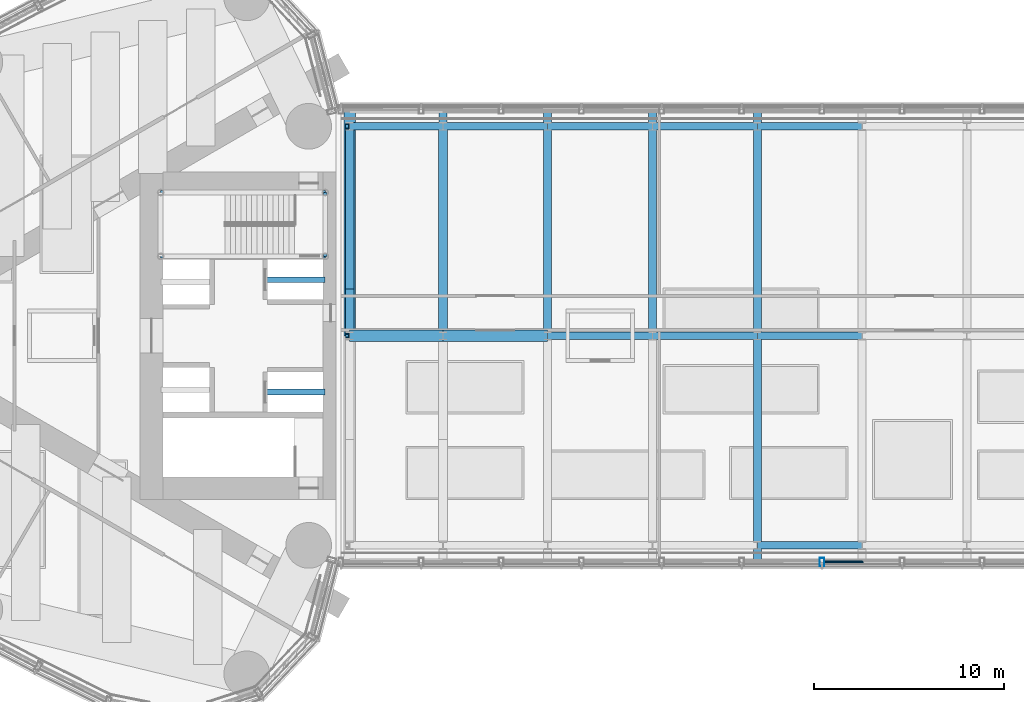
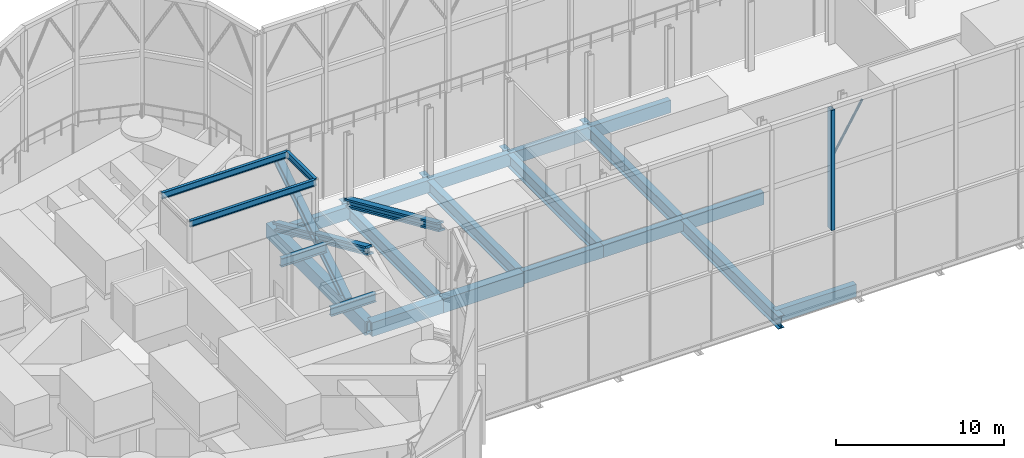
# One storey, part 11 of 33: 22 beams, 5 members, 1 element without a shape of its own.
"""IFC4 building model written with IfcOpenShell, lengths in metres."""

from ifc_helpers import new_model, si_unit, direction, frame, origin, origin_2d, place, context, subcontext, project, spatial, hollow_rectangle, hollow_circle, i_section, extrude, material, material_profile, profile_set, type_object, element, aggregate, save


model = new_model("IFC4")

# Units and contexts
model_context = context("Model", 3, precision=1e-05, world=origin(), true_north=direction((0.0, 1.0)))
body_context = subcontext(model_context, "Body", "Model", "MODEL_VIEW")
ifc_project = project(units=[si_unit("LENGTHUNIT", "METRE"), si_unit("AREAUNIT", "SQUARE_METRE"), si_unit("VOLUMEUNIT", "CUBIC_METRE"), si_unit("PLANEANGLEUNIT", "RADIAN"), si_unit("MASSUNIT", "GRAM", prefix="KILO")], contexts=[model_context])

# Site, building, storey
site_placement = place(None, origin())
site = spatial("IfcSite", under=ifc_project, at=site_placement, CompositionType="ELEMENT")
building_placement = place(site_placement, origin())
building = spatial("IfcBuilding", under=site, at=building_placement, Name="Lancet Gate Hotel", CompositionType="ELEMENT")
storey_placement = place(building_placement, frame((0.0, 0.0, 268.300048828125)))
storey = spatial("IfcBuildingStorey", under=building, at=storey_placement, Name="L70", CompositionType="ELEMENT", Elevation=268.300048828125)

# Members
ifc_material_1 = material(Name="Steel S460", Category="steel")
ifc_material_profile_1 = material_profile(ifc_material_1, i_section(OverallWidth=0.4541015625, OverallDepth=0.569091796875, WebThickness=0.077880859375, FlangeThickness=0.125, FilletRadius=0.02001953125, at=origin_2d()), Name="HD 400x1086")
ifc_profile_set_1 = profile_set([ifc_material_profile_1], Name="Steel S460")
member_type_1 = type_object("IfcMemberType", Name="Block brace HD 400x1086", PredefinedType="BRACE", material=ifc_profile_set_1)
for number, where, z_axis, x_axis, name in (
    (1, (-26.89990234375, 11.0, 0.0), (0.0, -0.913471794333, 0.406902053273), (1.0, 0.0, 0.0), "Block brace WY22 L70"),
    (2, (-22.0, 11.0, 0.0), (0.0, -0.913471794333, 0.406902053273), (1.0, 0.0, 0.0), "Block brace WI22 L70"),
):
    element("IfcMember", number, at=place(storey_placement, frame(where, z_axis=z_axis, x_axis=x_axis)), inside=storey, type_object=member_type_1, Name=name, PredefinedType="BRACE", context=body_context, shape_type="SweptSolid", body=[
        extrude(i_section(OverallWidth=0.4541015625, OverallDepth=0.569091796875, WebThickness=0.077880859375, FlangeThickness=0.125, FilletRadius=0.02001953125, at=origin_2d()), origin(), (0.0, 0.0, 1.0), 12.0419921875),
    ])
member_1_placement = place(storey_placement, frame((-26.89990234375, 2.60009765625, -0.300048828125), z_axis=(0.0, 0.845723043987, 0.533622088064), x_axis=(-1.0, 0.0, 0.0)))
element("IfcMember", 3, at=member_1_placement, inside=storey, type_object=member_type_1, Name="Block brace WY23 L70", PredefinedType="BRACE", context=body_context, shape_type="SweptSolid", body=[
    extrude(i_section(OverallWidth=0.4541015625, OverallDepth=0.569091796875, WebThickness=0.077880859375, FlangeThickness=0.125, FilletRadius=0.02001953125, at=origin_2d()), origin(), (0.0, 0.0, 1.0), 9.93212890625),
])

# Beams
ifc_material_2 = material(Name="Steel S460QL", Category="steel")
ifc_material_profile_2 = material_profile(ifc_material_2, hollow_rectangle(XDim=0.60009765625, YDim=1.0, WallThickness=0.10009765625, at=origin_2d()), Name="BOX 1000x600x100")
ifc_profile_set_2 = profile_set([ifc_material_profile_2], Name="Steel S460QL")
beam_type_1 = type_object("IfcBeamType", Name="Block end beam BOX 1000x600x100", PredefinedType="BEAM", material=ifc_profile_set_2)
beam_1_placement = place(storey_placement, frame((-26.89990234375, 0.0, -0.699951171875), z_axis=(0.0, 1.0, 0.0), x_axis=(-1.0, 0.0, 0.0)))
element("IfcBeam", 4, at=beam_1_placement, inside=storey, type_object=beam_type_1, Name="Block beam x0 N L70", PredefinedType="BEAM", context=body_context, shape_type="SweptSolid", body=[
    extrude(hollow_rectangle(XDim=0.60009765625, YDim=1.0, WallThickness=0.10009765625, at=origin_2d()), origin(), (0.0, 0.0, 1.0), 11.800048828125),
])
ifc_material_3 = material(Name="Steel S355", Category="steel")
ifc_material_profile_3 = material_profile(ifc_material_3, i_section(OverallWidth=0.42041015625, OverallDepth=0.9208984375, WebThickness=0.021484375, FlangeThickness=0.03662109375, FilletRadius=0.024169921875, at=origin_2d()), Name="UKB 914x419x388")
ifc_profile_set_3 = profile_set([ifc_material_profile_3], Name="Steel S355")
beam_type_2 = type_object("IfcBeamType", Name="Block plant floor beam UKB 914x419x388", PredefinedType="JOIST", material=ifc_profile_set_3)
for number, where, z_axis, x_axis, name in (
    (5, (-22.0, 0.0, -0.66064453125), (0.0, 1.0, 0.0), (-1.0, 0.0, 0.0), "Block beam x1 N L70"),
    (6, (-16.5, 0.0, -0.66064453125), (0.0, 1.0, 0.0), (-1.0, 0.0, 0.0), "Block beam x2 N L70"),
    (7, (-11.0, 0.0, -0.66064453125), (0.0, 1.0, 0.0), (-1.0, 0.0, 0.0), "Block beam x3 N L70"),
    (8, (-5.5, -11.800048828125, -0.66064453125), (0.0, 1.0, 0.0), (-1.0, 0.0, 0.0), "Block beam x4 S L70"),
    (9, (-5.5, 0.0, -0.66064453125), (0.0, 1.0, 0.0), (-1.0, 0.0, 0.0), "Block beam x4 N L70"),
):
    element("IfcBeam", number, at=place(storey_placement, frame(where, z_axis=z_axis, x_axis=x_axis)), inside=storey, type_object=beam_type_2, Name=name, PredefinedType="JOIST", context=body_context, shape_type="SweptSolid", body=[
        extrude(i_section(OverallWidth=0.42041015625, OverallDepth=0.9208984375, WebThickness=0.021484375, FlangeThickness=0.03662109375, FilletRadius=0.024169921875, at=origin_2d()), origin(), (0.0, 0.0, 1.0), 11.800048828125),
    ])
ifc_material_4 = material(Name="Steel S460QL", Category="steel")
ifc_material_profile_4 = material_profile(ifc_material_4, hollow_rectangle(XDim=0.60009765625, YDim=1.0, WallThickness=0.080078125, at=origin_2d()), Name="BOX 1000x600x80")
ifc_profile_set_4 = profile_set([ifc_material_profile_4], Name="Steel S460QL")
beam_type_3 = type_object("IfcBeamType", Name="Block primary beam BOX 1000x600x80", PredefinedType="BEAM", material=ifc_profile_set_4)
beam_2_placement = place(storey_placement, frame((-26.89990234375, 0.0, -0.699951171875), z_axis=(1.0, 0.0, 0.0), x_axis=(0.0, 1.0, 0.0)))
element("IfcBeam", 10, at=beam_2_placement, inside=storey, type_object=beam_type_3, Name="Block primary beam M 1 L70", PredefinedType="BEAM", context=body_context, shape_type="SweptSolid", body=[
    extrude(hollow_rectangle(XDim=0.60009765625, YDim=1.0, WallThickness=0.080078125, at=origin_2d()), origin(), (0.0, 0.0, 1.0), 4.89990234375),
])
beam_3_placement = place(storey_placement, frame((-22.0, 0.0, -0.699951171875), z_axis=(1.0, 0.0, 0.0), x_axis=(0.0, 1.0, 0.0)))
element("IfcBeam", 11, at=beam_3_placement, inside=storey, type_object=beam_type_3, Name="Block primary beam M 2 L70", PredefinedType="BEAM", context=body_context, shape_type="SweptSolid", body=[
    extrude(hollow_rectangle(XDim=0.60009765625, YDim=1.0, WallThickness=0.080078125, at=origin_2d()), origin(), (0.0, 0.0, 1.0), 5.5),
])
ifc_material_5 = material(Name="Steel S355", Category="steel")
ifc_material_profile_5 = material_profile(ifc_material_5, hollow_rectangle(XDim=0.39990234375, YDim=0.89990234375, WallThickness=0.0400390625, at=origin_2d()), Name="BOX 900x400x40")
ifc_profile_set_5 = profile_set([ifc_material_profile_5], Name="Steel S355")
beam_type_4 = type_object("IfcBeamType", Name="Block primary beam BOX 900x400x40", PredefinedType="BEAM", material=ifc_profile_set_5)
for number, where, z_axis, x_axis, name in (
    (12, (-5.5, -11.0, -0.650146484375), (1.0, 0.0, 0.0), (0.0, 1.0, 0.0), "Block primary beam S 5 L70"),
    (13, (-16.5, 0.0, -0.650146484375), (1.0, 0.0, 0.0), (0.0, 1.0, 0.0), "Block primary beam M 3 L70"),
    (14, (-11.0, 0.0, -0.650146484375), (1.0, 0.0, 0.0), (0.0, 1.0, 0.0), "Block primary beam M 4 L70"),
    (15, (-5.5, 0.0, -0.650146484375), (1.0, 0.0, 0.0), (0.0, 1.0, 0.0), "Block primary beam M 5 L70"),
):
    element("IfcBeam", number, at=place(storey_placement, frame(where, z_axis=z_axis, x_axis=x_axis)), inside=storey, type_object=beam_type_4, Name=name, PredefinedType="BEAM", context=body_context, shape_type="SweptSolid", body=[
        extrude(hollow_rectangle(XDim=0.39990234375, YDim=0.89990234375, WallThickness=0.0400390625, at=origin_2d()), origin(), (0.0, 0.0, 1.0), 5.5),
    ])
beam_4_placement = place(storey_placement, frame((-26.89990234375, 11.0, -0.650146484375), z_axis=(1.0, 0.0, 0.0), x_axis=(0.0, 1.0, 0.0)))
element("IfcBeam", 16, at=beam_4_placement, inside=storey, type_object=beam_type_4, Name="Block primary beam N 1 L70", PredefinedType="BEAM", context=body_context, shape_type="SweptSolid", body=[
    extrude(hollow_rectangle(XDim=0.39990234375, YDim=0.89990234375, WallThickness=0.0400390625, at=origin_2d()), origin(), (0.0, 0.0, 1.0), 4.89990234375),
])
for number, where, z_axis, x_axis, name in (
    (17, (-22.0, 11.0, -0.650146484375), (1.0, 0.0, 0.0), (0.0, 1.0, 0.0), "Block primary beam N 2 L70"),
    (18, (-16.5, 11.0, -0.650146484375), (1.0, 0.0, 0.0), (0.0, 1.0, 0.0), "Block primary beam N 3 L70"),
    (19, (-11.0, 11.0, -0.650146484375), (1.0, 0.0, 0.0), (0.0, 1.0, 0.0), "Block primary beam N 4 L70"),
    (20, (-5.5, 11.0, -0.650146484375), (1.0, 0.0, 0.0), (0.0, 1.0, 0.0), "Block primary beam N 5 L70"),
):
    element("IfcBeam", number, at=place(storey_placement, frame(where, z_axis=z_axis, x_axis=x_axis)), inside=storey, type_object=beam_type_4, Name=name, PredefinedType="BEAM", context=body_context, shape_type="SweptSolid", body=[
        extrude(hollow_rectangle(XDim=0.39990234375, YDim=0.89990234375, WallThickness=0.0400390625, at=origin_2d()), origin(), (0.0, 0.0, 1.0), 5.5),
    ])
ifc_material_6 = material(Name="Steel S355", Category="steel")
ifc_material_profile_6 = material_profile(ifc_material_6, i_section(OverallWidth=0.19140625, OverallDepth=0.4599609375, WebThickness=0.010009765625, FlangeThickness=0.01611328125, FilletRadius=0.01025390625, at=origin_2d()), Name="UKB 457x191x82")
ifc_profile_set_6 = profile_set([ifc_material_profile_6], Name="Steel S355")
beam_type_5 = type_object("IfcBeamType", Name="Head-house beam UKB 457x191x82", PredefinedType="BEAM", material=ifc_profile_set_6)
beam_5_placement = place(storey_placement, frame((-28.175048828125, 7.52490234375, 7.77001953125), z_axis=(0.0, -1.0, 0.0), x_axis=(1.0, 0.0, 0.0)))
element("IfcBeam", 21, at=beam_5_placement, inside=storey, type_object=beam_type_5, Name="T1 head-house beam front", PredefinedType="BEAM", context=body_context, shape_type="SweptSolid", body=[
    extrude(i_section(OverallWidth=0.19140625, OverallDepth=0.4599609375, WebThickness=0.010009765625, FlangeThickness=0.01611328125, FilletRadius=0.01025390625, at=origin_2d()), origin(), (0.0, 0.0, 1.0), 3.349853515625),
])
for number, where, z_axis, x_axis, name in (
    (22, (-28.175048828125, 7.52490234375, 7.77001953125), (-1.0, 0.0, 0.0), (0.0, -1.0, 0.0), "T1 head-house beam outer"),
    (23, (-28.175048828125, 4.175048828125, 7.77001953125), (-1.0, 0.0, 0.0), (0.0, -1.0, 0.0), "T1 head-house beam inner"),
):
    element("IfcBeam", number, at=place(storey_placement, frame(where, z_axis=z_axis, x_axis=x_axis)), inside=storey, type_object=beam_type_5, Name=name, PredefinedType="BEAM", context=body_context, shape_type="SweptSolid", body=[
        extrude(i_section(OverallWidth=0.19140625, OverallDepth=0.4599609375, WebThickness=0.010009765625, FlangeThickness=0.01611328125, FilletRadius=0.01025390625, at=origin_2d()), origin(), (0.0, 0.0, 1.0), 8.64990234375),
    ])

# Curtain wall, members
ifc_material_7 = material(Name="Steel framed lantern screen", Category="steel")
curtain_wall_type = type_object("IfcCurtainWallType", Name="Lantern screen", PredefinedType="USERDEFINED", material=ifc_material_7)
curtain_wall_placement = place(storey_placement, origin())
curtain_wall = element("IfcCurtainWall", 24, at=curtain_wall_placement, inside=storey, type_object=curtain_wall_type, Name="Bridge block lantern screen S", ObjectType="LANTERN SCREEN", PredefinedType="USERDEFINED")
ifc_material_8 = material(Name="Steel S355", Category="steel")
ifc_material_profile_7 = material_profile(ifc_material_8, hollow_rectangle(XDim=0.25, YDim=0.449951171875, WallThickness=0.01611328125, at=origin_2d()), Name="RHS 450x250x16")
ifc_profile_set_7 = profile_set([ifc_material_profile_7], Name="Steel S355")
member_type_2 = type_object("IfcMemberType", Name="Lantern frame post RHS 450x250x16", PredefinedType="USERDEFINED", material=ifc_profile_set_7)
member_2_placement = place(storey_placement, frame((-2.103759765625, -11.8798828125, 5.0), z_axis=(0.0, 0.0, 1.0), x_axis=(1.0, 0.0, 0.0)))
member_2 = element("IfcMember", 25, at=member_2_placement, type_object=member_type_2, Name="Bridge block lantern screen S frame post 7", ObjectType="LANTERN FRAME", PredefinedType="USERDEFINED", context=body_context, shape_type="SweptSolid", body=[
    extrude(hollow_rectangle(XDim=0.25, YDim=0.449951171875, WallThickness=0.01611328125, at=origin_2d()), origin(), (0.0, 0.0, 1.0), 8.699951171875),
])
ifc_material_9 = material(Name="Steel S355", Category="steel")
ifc_material_profile_8 = material_profile(ifc_material_9, hollow_circle(Radius=0.084228515625, WallThickness=0.008056640625, at=origin_2d()), Name="CHS 168.3x8.0")
ifc_profile_set_8 = profile_set([ifc_material_profile_8], Name="Steel S355")
member_type_3 = type_object("IfcMemberType", Name="Lantern lancet head CHS 168.3x8", PredefinedType="USERDEFINED", material=ifc_profile_set_8)
member_3_placement = place(storey_placement, frame((-1.978759765625, -11.8798828125, 10.300048828125), z_axis=(0.512467285429, 0.0, 0.858706749342), x_axis=(0.0, 1.0, 0.0)))
member_3 = element("IfcMember", 26, at=member_3_placement, type_object=member_type_3, Name="Bridge block lantern screen S lancet head 7A", ObjectType="LANTERN FRAME", PredefinedType="USERDEFINED", context=body_context, shape_type="SweptSolid", body=[
    extrude(hollow_circle(Radius=0.084228515625, WallThickness=0.008056640625, at=origin_2d()), origin(), (0.0, 0.0, 1.0), 3.861328125),
])
aggregate(curtain_wall, [member_2, member_3])

# Beams
ifc_material_10 = material(Name="Steel S355", Category="steel")
ifc_material_profile_9 = material_profile(ifc_material_10, i_section(OverallWidth=0.3046875, OverallDepth=0.6123046875, WebThickness=0.01171875, FlangeThickness=0.019775390625, FilletRadius=0.0166015625, at=origin_2d()), Name="UKB 610x305x149")
ifc_profile_set_9 = profile_set([ifc_material_profile_9], Name="Steel S355")
beam_type_6 = type_object("IfcBeamType", Name="Lift lifting beam UKB 610x305x149", PredefinedType="BEAM", material=ifc_profile_set_9)
for number, where, z_axis, x_axis, name in (
    (27, (-28.199951171875, 2.949951171875, 3.793701171875), (-1.0, 0.0, 0.0), (0.0, -1.0, 0.0), "T1 lifting beam SL1"),
    (28, (-28.199951171875, -2.949951171875, 3.793701171875), (-1.0, 0.0, 0.0), (0.0, -1.0, 0.0), "T1 lifting beam FL2"),
):
    element("IfcBeam", number, at=place(storey_placement, frame(where, z_axis=z_axis, x_axis=x_axis)), inside=storey, type_object=beam_type_6, Name=name, PredefinedType="BEAM", context=body_context, shape_type="SweptSolid", body=[
        extrude(i_section(OverallWidth=0.3046875, OverallDepth=0.6123046875, WebThickness=0.01171875, FlangeThickness=0.019775390625, FilletRadius=0.0166015625, at=origin_2d()), origin(), (0.0, 0.0, 1.0), 3.10009765625),
    ])

save(model, "model.ifc")
